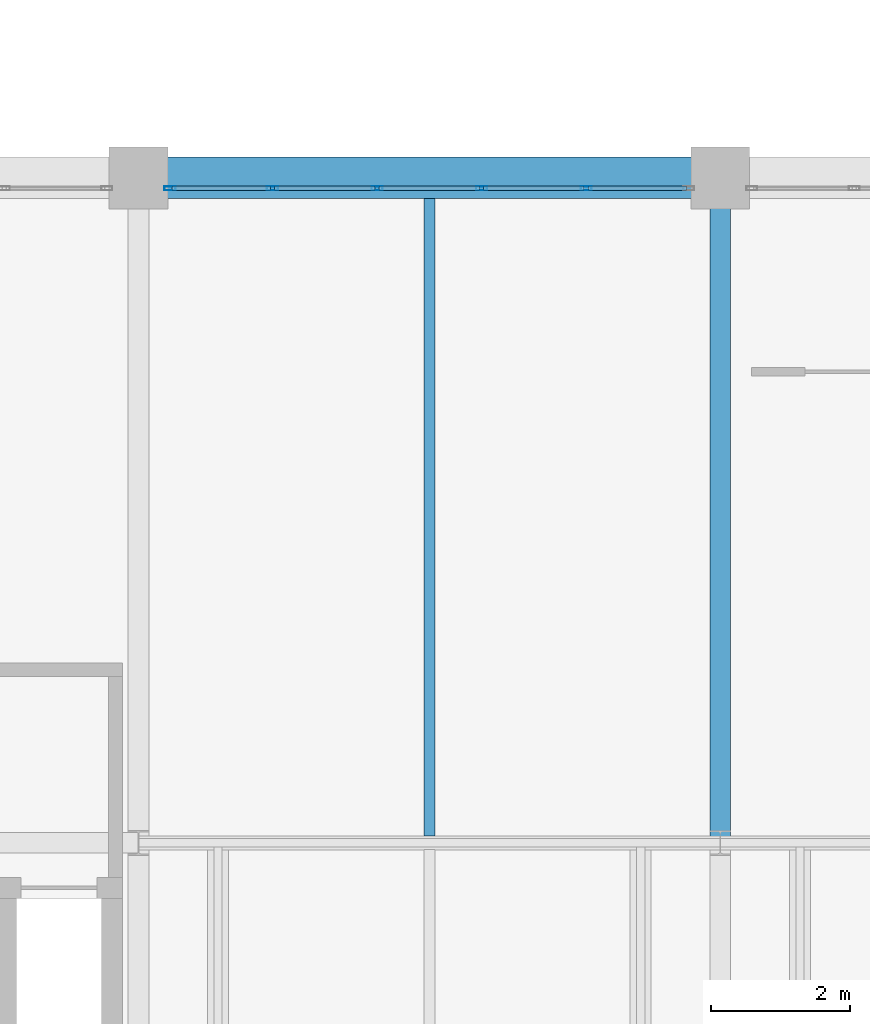
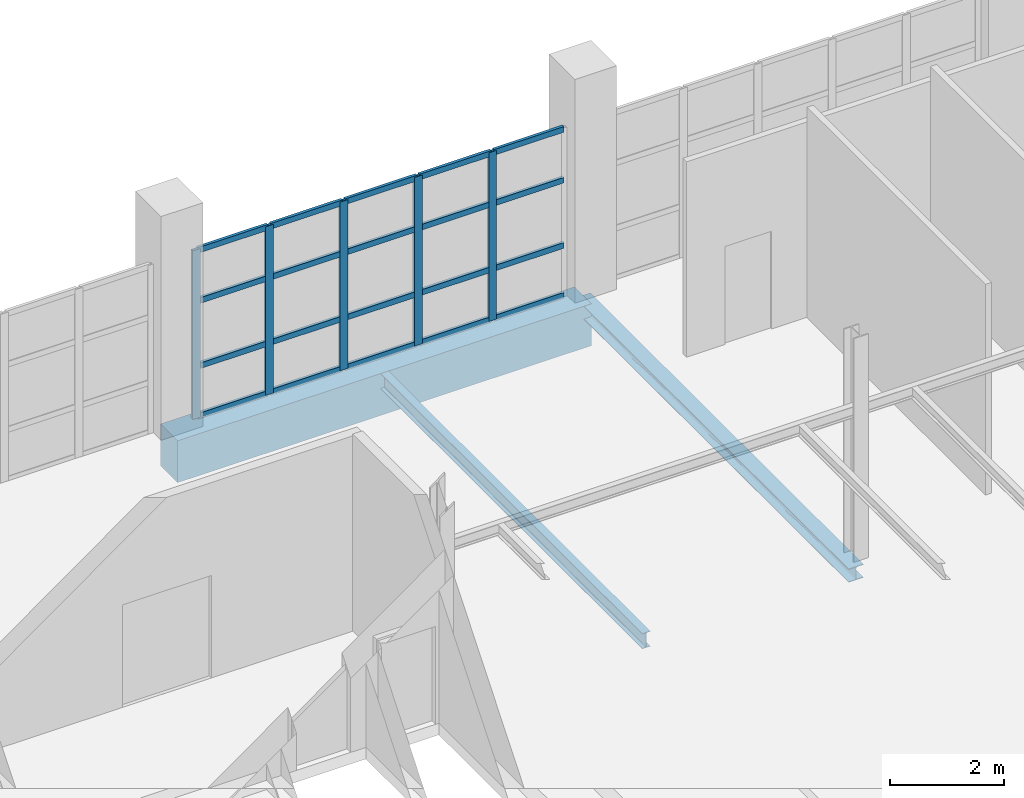
# One storey, part 6 of 29: 25 members, 3 beams, 1 element without a shape of its own.
"""IFC4 building model written with IfcOpenShell, lengths in metres."""

import ifcopenshell
import ifcopenshell.guid

model = None  # the IFC model being written
_history = None  # IfcOwnerHistory: only IFC2X3 demands one
_inside = {}  # id of a spatial element -> (the spatial element, [elements in it])
_under = {}  # id of a project, library or spatial element -> (it, [spatial elements below it])
_declared = {}  # id of a project -> (the project, [libraries it declares])
_typed = {}  # id of a type object -> (the type object, [elements of that type])
_made_of = {}  # id of a material, layer set ... -> (it, [elements and type objects made of it])


def new_model(schema):
    """Start an empty IFC model of exactly this schema.

    Asked for "IFC4X3", IfcOpenShell would pick the latest addendum, in which some entities
    have other attributes; the version numbers below select the first issue.
    IFC2X3 requires an IfcOwnerHistory on every rooted entity: one is made here for all.
    """
    global model, _history
    if schema == "IFC4X3":
        model = ifcopenshell.file(schema_version=(4, 3, 0, 0))
    else:
        model = ifcopenshell.file(schema=schema)
    _inside.clear()
    _under.clear()
    _declared.clear()
    _typed.clear()
    _made_of.clear()
    _history = None
    if model.schema == "IFC2X3":
        org = make("IfcOrganization", Name="unknown")
        user = make(
            "IfcPersonAndOrganization",
            ThePerson=make("IfcPerson", FamilyName="unknown"),
            TheOrganization=org,
        )
        app = make(
            "IfcApplication",
            ApplicationDeveloper=org,
            Version="unknown",
            ApplicationFullName="unknown",
            ApplicationIdentifier="unknown",
        )
        _history = make(
            "IfcOwnerHistory",
            OwningUser=user,
            OwningApplication=app,
            ChangeAction="ADDED",
            CreationDate=0,
        )
    return model


def make(cls, **values):
    """One entity of the class cls with the attributes given. An attribute that is None is left unset."""
    return model.create_entity(
        cls, **{name: value for name, value in values.items() if value is not None}
    )


def rooted(cls, **values):
    """An entity with a GlobalId (a new one), such as an element, a storey or a relation."""
    return make(cls, GlobalId=ifcopenshell.guid.new(), OwnerHistory=_history, **values)


def si_unit(unit_type, name, prefix=None):
    """IfcSIUnit, for example si_unit("LENGTHUNIT", "METRE", prefix="MILLI")."""
    return make("IfcSIUnit", UnitType=unit_type, Prefix=prefix, Name=name)


def assignment(units):
    """IfcUnitAssignment: the units of a project."""
    return None if units is None else make("IfcUnitAssignment", Units=units)


def point(xyz):
    """IfcCartesianPoint."""
    return None if xyz is None else make("IfcCartesianPoint", Coordinates=xyz)


def direction(xyz):
    """IfcDirection."""
    return None if xyz is None else make("IfcDirection", DirectionRatios=xyz)


def frame(location, z_axis=None, x_axis=None):
    """IfcAxis2Placement3D, a coordinate frame: its origin and axes. An axis left out is left unset."""
    return make(
        "IfcAxis2Placement3D",
        Location=point(location),
        Axis=direction(z_axis),
        RefDirection=direction(x_axis),
    )


def frame_2d(location, x_axis=None):
    """IfcAxis2Placement2D, a coordinate frame in the plane: its origin and x axis."""
    return make(
        "IfcAxis2Placement2D", Location=point(location), RefDirection=direction(x_axis)
    )


def origin():
    """The frame at (0, 0, 0) with its axes left unset."""
    return frame((0.0, 0.0, 0.0))


def origin_2d():
    """The frame at (0, 0) in the plane with its x axis left unset."""
    return frame_2d((0.0, 0.0))


def place(relative_to, where):
    """IfcLocalPlacement: puts the frame where relative to a parent placement (None: the world)."""
    return make(
        "IfcLocalPlacement", PlacementRelTo=relative_to, RelativePlacement=where
    )


def context(
    kind, dimensions, precision=None, world=None, true_north=None, identifier=None
):
    """IfcGeometricRepresentationContext, for example the 3D "Model" context."""
    return make(
        "IfcGeometricRepresentationContext",
        ContextIdentifier=identifier,
        ContextType=kind,
        CoordinateSpaceDimension=dimensions,
        Precision=precision,
        WorldCoordinateSystem=world,
        TrueNorth=true_north,
    )


def subcontext(parent, identifier, kind, view, scale=None):
    """IfcGeometricRepresentationSubContext, for example "Body" below "Model"."""
    return make(
        "IfcGeometricRepresentationSubContext",
        ContextIdentifier=identifier,
        ContextType=kind,
        ParentContext=parent,
        TargetScale=scale,
        TargetView=view,
    )


def project(units=None, contexts=None):
    """IfcProject with its units and contexts."""
    return rooted(
        "IfcProject",
        Name="project",
        RepresentationContexts=contexts,
        UnitsInContext=assignment(units),
    )


def spatial(cls, under=None, at=None, **own):
    """A site, building, storey or space (cls), placed at a placement, below another one or the project."""
    s = rooted(cls, ObjectPlacement=at, **own)
    if under is not None:
        _under.setdefault(under.id(), (under, []))[1].append(s)
    return s


def profile(cls, at=None, kind="AREA", **sizes):
    """A parametric profile (cls). Its sizes go by their IFC names, for example OverallWidth=200.0."""
    return make(cls, ProfileType=kind, Position=at, **sizes)


def rectangle(**sizes):
    """IfcRectangleProfileDef."""
    return profile("IfcRectangleProfileDef", **sizes)


def hollow_rectangle(**sizes):
    """IfcRectangleHollowProfileDef."""
    return profile("IfcRectangleHollowProfileDef", **sizes)


def i_section(**sizes):
    """IfcIShapeProfileDef."""
    return profile("IfcIShapeProfileDef", **sizes)


def extrude(swept, where, along, depth):
    """IfcExtrudedAreaSolid: the profile swept, set in the frame where, extruded along a direction by depth."""
    return make(
        "IfcExtrudedAreaSolid",
        SweptArea=swept,
        Position=where,
        ExtrudedDirection=direction(along),
        Depth=depth,
    )


def shape(context_of_items, identifier, shape_type, items):
    """IfcShapeRepresentation: the items that make up one representation, for example the "Body"."""
    return make(
        "IfcShapeRepresentation",
        ContextOfItems=context_of_items,
        RepresentationIdentifier=identifier,
        RepresentationType=shape_type,
        Items=items,
    )


def material(Name=None, Category=None):
    """IfcMaterial."""
    return make("IfcMaterial", Name=Name, Category=Category)


def material_profile(
    of_material, cross_section, Name=None, Category=None, Priority=None
):
    """IfcMaterialProfile: a cross section and its material."""
    return make(
        "IfcMaterialProfile",
        Name=Name,
        Material=of_material,
        Profile=cross_section,
        Priority=Priority,
        Category=Category,
    )


def profile_set(profiles, Name=None, composite=None):
    """IfcMaterialProfileSet."""
    return make(
        "IfcMaterialProfileSet",
        Name=Name,
        MaterialProfiles=profiles,
        CompositeProfile=composite,
    )


def made_of(thing, what):
    """Note that an element or type object is made of a material, layer set ...; save() writes the relation."""
    if what is not None:
        _made_of.setdefault(what.id(), (what, []))[1].append(thing)
    return thing


def type_object(cls, material=None, **own):
    """A type object (cls), such as IfcWallType, which elements share."""
    return made_of(rooted(cls, **own), material)


def element(
    cls,
    number,
    at=None,
    inside=None,
    cuts=None,
    type_object=None,
    material=None,
    context=None,
    identifier="Body",
    shape_type=None,
    held_by="IfcProductDefinitionShape",
    body=None,
    shapes=None,
    **own,
):
    """One element of the class cls, such as IfcWall. Its Tag is "e" and its number.

    at: its placement. inside: the storey or other place that contains it. cuts: it is an
    opening in that element (IfcRelVoidsElement). A single representation is given by context,
    identifier, shape_type and body (its items); several are given by shapes. held_by: the class
    of the entity that holds the representations. save() writes the other relations.
    """
    e = rooted(cls, Tag="e%d" % number, ObjectPlacement=at, **own)
    if body is not None:
        shapes = [shape(context, identifier, shape_type, body)]
    if shapes is not None:
        e.Representation = make(held_by, Representations=shapes)
    if inside is not None:
        _inside.setdefault(inside.id(), (inside, []))[1].append(e)
    if cuts is not None:
        rooted(
            "IfcRelVoidsElement", RelatingBuildingElement=cuts, RelatedOpeningElement=e
        )
    if type_object is not None:
        _typed.setdefault(type_object.id(), (type_object, []))[1].append(e)
    return made_of(e, material)


def aggregate(whole, parts):
    """IfcRelAggregates: a whole, such as a stair, and the parts it consists of."""
    return rooted("IfcRelAggregates", RelatingObject=whole, RelatedObjects=parts)


def save(model, path):
    """Write the relations noted so far, then the file.

    IfcRelAggregates (storeys below a building ...), IfcRelContainedInSpatialStructure (elements
    in a storey), IfcRelDefinesByType, IfcRelAssociatesMaterial and IfcRelDeclares: one each for
    every whole, place, type object, material and project.
    """
    for whole, parts in _under.values():
        aggregate(whole, parts)
    for where, things in _inside.values():
        rooted(
            "IfcRelContainedInSpatialStructure",
            RelatedElements=things,
            RelatingStructure=where,
        )
    for kind, things in _typed.values():
        rooted("IfcRelDefinesByType", RelatedObjects=things, RelatingType=kind)
    for what, things in _made_of.values():
        rooted("IfcRelAssociatesMaterial", RelatedObjects=things, RelatingMaterial=what)
    for by, libraries in _declared.values():
        rooted("IfcRelDeclares", RelatingContext=by, RelatedDefinitions=libraries)
    model.write(path)


model = new_model("IFC4")

# Units and contexts
model_context = context("Model", 3, precision=1e-05, world=origin(), true_north=direction((0.0, 1.0)))
body_context = subcontext(model_context, "Body", "Model", "MODEL_VIEW")
ifc_project = project(units=[si_unit("LENGTHUNIT", "METRE"), si_unit("AREAUNIT", "SQUARE_METRE"), si_unit("VOLUMEUNIT", "CUBIC_METRE"), si_unit("PLANEANGLEUNIT", "RADIAN"), si_unit("MASSUNIT", "GRAM", prefix="KILO")], contexts=[model_context])

# Site, building, storey
site_placement = place(None, origin())
site = spatial("IfcSite", under=ifc_project, at=site_placement, CompositionType="ELEMENT")
building_placement = place(site_placement, origin())
building = spatial("IfcBuilding", under=site, at=building_placement, Name="Veltarok Museum of Natural Sciences", CompositionType="ELEMENT")
storey_placement = place(building_placement, frame((0.0, 0.0, 26.39990234375)))
storey = spatial("IfcBuildingStorey", under=building, at=storey_placement, Name="L05", CompositionType="ELEMENT", Elevation=26.39990234375)

# Curtain wall, members
ifc_material_1 = material(Name="Low-iron triple insulated glass", Category="glass")
curtain_wall_type = type_object("IfcCurtainWallType", Name="Curtain Wall System CW-V1N-L05-755x362 (V1 North Overlook L05 755x362cm)", PredefinedType="NOTDEFINED", material=ifc_material_1)
curtain_wall_placement = place(storey_placement, origin())
curtain_wall = element("IfcCurtainWall", 1, at=curtain_wall_placement, inside=storey, type_object=curtain_wall_type, Name="Curtain Wall CW-V1N-L05-755x362 CW-0012", PredefinedType="NOTDEFINED")
ifc_material_2 = material(Name="Thermally broken anodised aluminium", Category="aluminium")
ifc_material_profile_1 = material_profile(ifc_material_2, hollow_rectangle(XDim=0.06005859375, YDim=0.1201171875, WallThickness=0.0048828125, at=origin_2d()), Name="CW TRANSOM 60x120x5")
ifc_profile_set_1 = profile_set([ifc_material_profile_1], Name="Thermally broken anodised aluminium")
member_type_1 = type_object("IfcMemberType", Name="Curtain Wall Horizontal Transom 60x120x5", PredefinedType="USERDEFINED", material=ifc_profile_set_1)
member_1_placement = place(storey_placement, frame((47.9150390625, 19.050048828125, 0.030029296875), z_axis=(-1.0, 0.0, 0.0), x_axis=(0.0, -1.0, 0.0)))
member_1 = element("IfcMember", 2, at=member_1_placement, type_object=member_type_1, Name="CW-V1N-L05-755x362 transom 1.1", ObjectType="TRANSOM", PredefinedType="USERDEFINED", context=body_context, shape_type="SweptSolid", body=[
    extrude(hollow_rectangle(XDim=0.06005859375, YDim=0.1201171875, WallThickness=0.0048828125, at=origin_2d()), origin(), (0.0, 0.0, 1.0), 1.419921875),
])
member_2_placement = place(storey_placement, frame((47.9150390625, 19.050048828125, 1.10009765625), z_axis=(-1.0, 0.0, 0.0), x_axis=(0.0, -1.0, 0.0)))
member_2 = element("IfcMember", 3, at=member_2_placement, type_object=member_type_1, Name="CW-V1N-L05-755x362 transom 1.2", ObjectType="TRANSOM", PredefinedType="USERDEFINED", context=body_context, shape_type="SweptSolid", body=[
    extrude(hollow_rectangle(XDim=0.06005859375, YDim=0.1201171875, WallThickness=0.0048828125, at=origin_2d()), origin(), (0.0, 0.0, 1.0), 1.419921875),
])
member_3_placement = place(storey_placement, frame((47.9150390625, 19.050048828125, 2.5), z_axis=(-1.0, 0.0, 0.0), x_axis=(0.0, -1.0, 0.0)))
member_3 = element("IfcMember", 4, at=member_3_placement, type_object=member_type_1, Name="CW-V1N-L05-755x362 transom 1.3", ObjectType="TRANSOM", PredefinedType="USERDEFINED", context=body_context, shape_type="SweptSolid", body=[
    extrude(hollow_rectangle(XDim=0.06005859375, YDim=0.1201171875, WallThickness=0.0048828125, at=origin_2d()), origin(), (0.0, 0.0, 1.0), 1.419921875),
])
member_4_placement = place(storey_placement, frame((47.9150390625, 19.050048828125, 3.590087890625), z_axis=(-1.0, 0.0, 0.0), x_axis=(0.0, -1.0, 0.0)))
member_4 = element("IfcMember", 5, at=member_4_placement, type_object=member_type_1, Name="CW-V1N-L05-755x362 transom 1.4", ObjectType="TRANSOM", PredefinedType="USERDEFINED", context=body_context, shape_type="SweptSolid", body=[
    extrude(hollow_rectangle(XDim=0.06005859375, YDim=0.1201171875, WallThickness=0.0048828125, at=origin_2d()), origin(), (0.0, 0.0, 1.0), 1.419921875),
])
member_5_placement = place(storey_placement, frame((46.43505859375, 19.050048828125, 0.030029296875), z_axis=(-1.0, 0.0, 0.0), x_axis=(0.0, -1.0, 0.0)))
member_5 = element("IfcMember", 6, at=member_5_placement, type_object=member_type_1, Name="CW-V1N-L05-755x362 transom 2.1", ObjectType="TRANSOM", PredefinedType="USERDEFINED", context=body_context, shape_type="SweptSolid", body=[
    extrude(hollow_rectangle(XDim=0.06005859375, YDim=0.1201171875, WallThickness=0.0048828125, at=origin_2d()), origin(), (0.0, 0.0, 1.0), 1.449951171875),
])
member_6_placement = place(storey_placement, frame((46.43505859375, 19.050048828125, 1.10009765625), z_axis=(-1.0, 0.0, 0.0), x_axis=(0.0, -1.0, 0.0)))
member_6 = element("IfcMember", 7, at=member_6_placement, type_object=member_type_1, Name="CW-V1N-L05-755x362 transom 2.2", ObjectType="TRANSOM", PredefinedType="USERDEFINED", context=body_context, shape_type="SweptSolid", body=[
    extrude(hollow_rectangle(XDim=0.06005859375, YDim=0.1201171875, WallThickness=0.0048828125, at=origin_2d()), origin(), (0.0, 0.0, 1.0), 1.449951171875),
])
member_7_placement = place(storey_placement, frame((46.43505859375, 19.050048828125, 2.5), z_axis=(-1.0, 0.0, 0.0), x_axis=(0.0, -1.0, 0.0)))
member_7 = element("IfcMember", 8, at=member_7_placement, type_object=member_type_1, Name="CW-V1N-L05-755x362 transom 2.3", ObjectType="TRANSOM", PredefinedType="USERDEFINED", context=body_context, shape_type="SweptSolid", body=[
    extrude(hollow_rectangle(XDim=0.06005859375, YDim=0.1201171875, WallThickness=0.0048828125, at=origin_2d()), origin(), (0.0, 0.0, 1.0), 1.449951171875),
])
member_8_placement = place(storey_placement, frame((46.43505859375, 19.050048828125, 3.590087890625), z_axis=(-1.0, 0.0, 0.0), x_axis=(0.0, -1.0, 0.0)))
member_8 = element("IfcMember", 9, at=member_8_placement, type_object=member_type_1, Name="CW-V1N-L05-755x362 transom 2.4", ObjectType="TRANSOM", PredefinedType="USERDEFINED", context=body_context, shape_type="SweptSolid", body=[
    extrude(hollow_rectangle(XDim=0.06005859375, YDim=0.1201171875, WallThickness=0.0048828125, at=origin_2d()), origin(), (0.0, 0.0, 1.0), 1.449951171875),
])
member_9_placement = place(storey_placement, frame((44.925048828125, 19.050048828125, 0.030029296875), z_axis=(-1.0, 0.0, 0.0), x_axis=(0.0, -1.0, 0.0)))
member_9 = element("IfcMember", 10, at=member_9_placement, type_object=member_type_1, Name="CW-V1N-L05-755x362 transom 3.1", ObjectType="TRANSOM", PredefinedType="USERDEFINED", context=body_context, shape_type="SweptSolid", body=[
    extrude(hollow_rectangle(XDim=0.06005859375, YDim=0.1201171875, WallThickness=0.0048828125, at=origin_2d()), origin(), (0.0, 0.0, 1.0), 1.449951171875),
])
member_10_placement = place(storey_placement, frame((44.925048828125, 19.050048828125, 1.10009765625), z_axis=(-1.0, 0.0, 0.0), x_axis=(0.0, -1.0, 0.0)))
member_10 = element("IfcMember", 11, at=member_10_placement, type_object=member_type_1, Name="CW-V1N-L05-755x362 transom 3.2", ObjectType="TRANSOM", PredefinedType="USERDEFINED", context=body_context, shape_type="SweptSolid", body=[
    extrude(hollow_rectangle(XDim=0.06005859375, YDim=0.1201171875, WallThickness=0.0048828125, at=origin_2d()), origin(), (0.0, 0.0, 1.0), 1.449951171875),
])
member_11_placement = place(storey_placement, frame((44.925048828125, 19.050048828125, 2.5), z_axis=(-1.0, 0.0, 0.0), x_axis=(0.0, -1.0, 0.0)))
member_11 = element("IfcMember", 12, at=member_11_placement, type_object=member_type_1, Name="CW-V1N-L05-755x362 transom 3.3", ObjectType="TRANSOM", PredefinedType="USERDEFINED", context=body_context, shape_type="SweptSolid", body=[
    extrude(hollow_rectangle(XDim=0.06005859375, YDim=0.1201171875, WallThickness=0.0048828125, at=origin_2d()), origin(), (0.0, 0.0, 1.0), 1.449951171875),
])
member_12_placement = place(storey_placement, frame((44.925048828125, 19.050048828125, 3.590087890625), z_axis=(-1.0, 0.0, 0.0), x_axis=(0.0, -1.0, 0.0)))
member_12 = element("IfcMember", 13, at=member_12_placement, type_object=member_type_1, Name="CW-V1N-L05-755x362 transom 3.4", ObjectType="TRANSOM", PredefinedType="USERDEFINED", context=body_context, shape_type="SweptSolid", body=[
    extrude(hollow_rectangle(XDim=0.06005859375, YDim=0.1201171875, WallThickness=0.0048828125, at=origin_2d()), origin(), (0.0, 0.0, 1.0), 1.449951171875),
])
member_13_placement = place(storey_placement, frame((43.4150390625, 19.050048828125, 0.030029296875), z_axis=(-1.0, 0.0, 0.0), x_axis=(0.0, -1.0, 0.0)))
member_13 = element("IfcMember", 14, at=member_13_placement, type_object=member_type_1, Name="CW-V1N-L05-755x362 transom 4.1", ObjectType="TRANSOM", PredefinedType="USERDEFINED", context=body_context, shape_type="SweptSolid", body=[
    extrude(hollow_rectangle(XDim=0.06005859375, YDim=0.1201171875, WallThickness=0.0048828125, at=origin_2d()), origin(), (0.0, 0.0, 1.0), 1.449951171875),
])
member_14_placement = place(storey_placement, frame((43.4150390625, 19.050048828125, 1.10009765625), z_axis=(-1.0, 0.0, 0.0), x_axis=(0.0, -1.0, 0.0)))
member_14 = element("IfcMember", 15, at=member_14_placement, type_object=member_type_1, Name="CW-V1N-L05-755x362 transom 4.2", ObjectType="TRANSOM", PredefinedType="USERDEFINED", context=body_context, shape_type="SweptSolid", body=[
    extrude(hollow_rectangle(XDim=0.06005859375, YDim=0.1201171875, WallThickness=0.0048828125, at=origin_2d()), origin(), (0.0, 0.0, 1.0), 1.449951171875),
])
member_15_placement = place(storey_placement, frame((43.4150390625, 19.050048828125, 2.5), z_axis=(-1.0, 0.0, 0.0), x_axis=(0.0, -1.0, 0.0)))
member_15 = element("IfcMember", 16, at=member_15_placement, type_object=member_type_1, Name="CW-V1N-L05-755x362 transom 4.3", ObjectType="TRANSOM", PredefinedType="USERDEFINED", context=body_context, shape_type="SweptSolid", body=[
    extrude(hollow_rectangle(XDim=0.06005859375, YDim=0.1201171875, WallThickness=0.0048828125, at=origin_2d()), origin(), (0.0, 0.0, 1.0), 1.449951171875),
])
member_16_placement = place(storey_placement, frame((43.4150390625, 19.050048828125, 3.590087890625), z_axis=(-1.0, 0.0, 0.0), x_axis=(0.0, -1.0, 0.0)))
member_16 = element("IfcMember", 17, at=member_16_placement, type_object=member_type_1, Name="CW-V1N-L05-755x362 transom 4.4", ObjectType="TRANSOM", PredefinedType="USERDEFINED", context=body_context, shape_type="SweptSolid", body=[
    extrude(hollow_rectangle(XDim=0.06005859375, YDim=0.1201171875, WallThickness=0.0048828125, at=origin_2d()), origin(), (0.0, 0.0, 1.0), 1.449951171875),
])
member_17_placement = place(storey_placement, frame((41.905029296875, 19.050048828125, 0.030029296875), z_axis=(-1.0, 0.0, 0.0), x_axis=(0.0, -1.0, 0.0)))
member_17 = element("IfcMember", 18, at=member_17_placement, type_object=member_type_1, Name="CW-V1N-L05-755x362 transom 5.1", ObjectType="TRANSOM", PredefinedType="USERDEFINED", context=body_context, shape_type="SweptSolid", body=[
    extrude(hollow_rectangle(XDim=0.06005859375, YDim=0.1201171875, WallThickness=0.0048828125, at=origin_2d()), origin(), (0.0, 0.0, 1.0), 1.419921875),
])
member_18_placement = place(storey_placement, frame((41.905029296875, 19.050048828125, 1.10009765625), z_axis=(-1.0, 0.0, 0.0), x_axis=(0.0, -1.0, 0.0)))
member_18 = element("IfcMember", 19, at=member_18_placement, type_object=member_type_1, Name="CW-V1N-L05-755x362 transom 5.2", ObjectType="TRANSOM", PredefinedType="USERDEFINED", context=body_context, shape_type="SweptSolid", body=[
    extrude(hollow_rectangle(XDim=0.06005859375, YDim=0.1201171875, WallThickness=0.0048828125, at=origin_2d()), origin(), (0.0, 0.0, 1.0), 1.419921875),
])
member_19_placement = place(storey_placement, frame((41.905029296875, 19.050048828125, 2.5), z_axis=(-1.0, 0.0, 0.0), x_axis=(0.0, -1.0, 0.0)))
member_19 = element("IfcMember", 20, at=member_19_placement, type_object=member_type_1, Name="CW-V1N-L05-755x362 transom 5.3", ObjectType="TRANSOM", PredefinedType="USERDEFINED", context=body_context, shape_type="SweptSolid", body=[
    extrude(hollow_rectangle(XDim=0.06005859375, YDim=0.1201171875, WallThickness=0.0048828125, at=origin_2d()), origin(), (0.0, 0.0, 1.0), 1.419921875),
])
member_20_placement = place(storey_placement, frame((41.905029296875, 19.050048828125, 3.590087890625), z_axis=(-1.0, 0.0, 0.0), x_axis=(0.0, -1.0, 0.0)))
member_20 = element("IfcMember", 21, at=member_20_placement, type_object=member_type_1, Name="CW-V1N-L05-755x362 transom 5.4", ObjectType="TRANSOM", PredefinedType="USERDEFINED", context=body_context, shape_type="SweptSolid", body=[
    extrude(hollow_rectangle(XDim=0.06005859375, YDim=0.1201171875, WallThickness=0.0048828125, at=origin_2d()), origin(), (0.0, 0.0, 1.0), 1.419921875),
])
ifc_material_profile_2 = material_profile(ifc_material_2, hollow_rectangle(XDim=0.06005859375, YDim=0.159912109375, WallThickness=0.0048828125, at=origin_2d()), Name="CW MULLION 60x160x5")
ifc_profile_set_2 = profile_set([ifc_material_profile_2], Name="Thermally broken anodised aluminium")
member_type_2 = type_object("IfcMemberType", Name="Curtain Wall Vertical Mullion 60x160x5", PredefinedType="MULLION", material=ifc_profile_set_2)
member_21_placement = place(storey_placement, frame((46.465087890625, 19.050048828125, 0.0), z_axis=(0.0, 0.0, 1.0), x_axis=(0.0, -1.0, 0.0)))
member_21 = element("IfcMember", 22, at=member_21_placement, type_object=member_type_2, Name="CW-V1N-L05-755x362 mullion 2", PredefinedType="MULLION", context=body_context, shape_type="SweptSolid", body=[
    extrude(hollow_rectangle(XDim=0.06005859375, YDim=0.159912109375, WallThickness=0.0048828125, at=origin_2d()), origin(), (0.0, 0.0, 1.0), 3.6201171875),
])
member_22_placement = place(storey_placement, frame((44.955078125, 19.050048828125, 0.0), z_axis=(0.0, 0.0, 1.0), x_axis=(0.0, -1.0, 0.0)))
member_22 = element("IfcMember", 23, at=member_22_placement, type_object=member_type_2, Name="CW-V1N-L05-755x362 mullion 3", PredefinedType="MULLION", context=body_context, shape_type="SweptSolid", body=[
    extrude(hollow_rectangle(XDim=0.06005859375, YDim=0.159912109375, WallThickness=0.0048828125, at=origin_2d()), origin(), (0.0, 0.0, 1.0), 3.6201171875),
])
member_23_placement = place(storey_placement, frame((43.445068359375, 19.050048828125, 0.0), z_axis=(0.0, 0.0, 1.0), x_axis=(0.0, -1.0, 0.0)))
member_23 = element("IfcMember", 24, at=member_23_placement, type_object=member_type_2, Name="CW-V1N-L05-755x362 mullion 4", PredefinedType="MULLION", context=body_context, shape_type="SweptSolid", body=[
    extrude(hollow_rectangle(XDim=0.06005859375, YDim=0.159912109375, WallThickness=0.0048828125, at=origin_2d()), origin(), (0.0, 0.0, 1.0), 3.6201171875),
])
member_24_placement = place(storey_placement, frame((41.93505859375, 19.050048828125, 0.0), z_axis=(0.0, 0.0, 1.0), x_axis=(0.0, -1.0, 0.0)))
member_24 = element("IfcMember", 25, at=member_24_placement, type_object=member_type_2, Name="CW-V1N-L05-755x362 mullion 5", PredefinedType="MULLION", context=body_context, shape_type="SweptSolid", body=[
    extrude(hollow_rectangle(XDim=0.06005859375, YDim=0.159912109375, WallThickness=0.0048828125, at=origin_2d()), origin(), (0.0, 0.0, 1.0), 3.6201171875),
])
member_25_placement = place(storey_placement, frame((40.455078125, 19.050048828125, 0.0), z_axis=(0.0, 0.0, 1.0), x_axis=(0.0, -1.0, 0.0)))
member_25 = element("IfcMember", 26, at=member_25_placement, type_object=member_type_2, Name="CW-V1N-L05-755x362 mullion 6", PredefinedType="MULLION", context=body_context, shape_type="SweptSolid", body=[
    extrude(hollow_rectangle(XDim=0.06005859375, YDim=0.159912109375, WallThickness=0.0048828125, at=origin_2d()), origin(), (0.0, 0.0, 1.0), 3.6201171875),
])
aggregate(curtain_wall, [member_21, member_22, member_23, member_24, member_25, member_1, member_2, member_3, member_4, member_5, member_6, member_7, member_8, member_9, member_10, member_11, member_12, member_13, member_14, member_15, member_16, member_17, member_18, member_19, member_20])

# Beams
ifc_material_3 = material(Name="Concrete C40/50", Category="concrete")
ifc_material_profile_3 = material_profile(ifc_material_3, rectangle(XDim=0.60009765625, YDim=0.89990234375, at=origin_2d()), Name="RC 600x900")
ifc_profile_set_3 = profile_set([ifc_material_profile_3], Name="Concrete C40/50")
beam_type_1 = type_object("IfcBeamType", Name="Exposed Cabinet Perimeter Spandrel RC 600x900", PredefinedType="SPANDREL", material=ifc_profile_set_3)
beam_1_placement = place(storey_placement, frame((40.0, 19.199951171875, -0.699951171875), z_axis=(1.0, 0.0, 0.0), x_axis=(0.0, 1.0, 0.0)))
element("IfcBeam", 27, at=beam_1_placement, inside=storey, type_object=beam_type_1, Name="Beam BM-SP01 L05 5-6/C", PredefinedType="SPANDREL", context=body_context, shape_type="SweptSolid", body=[
    extrude(rectangle(XDim=0.60009765625, YDim=0.89990234375, at=origin_2d()), origin(), (0.0, 0.0, 1.0), 8.39990234375),
])
ifc_material_4 = material(Name="Steel S355J2", Category="steel")
ifc_material_profile_4 = material_profile(ifc_material_4, i_section(OverallWidth=0.300048828125, OverallDepth=0.2900390625, WebThickness=0.008544921875, FlangeThickness=0.013916015625, FilletRadius=0.027099609375, at=origin_2d()), Name="HEA 300")
ifc_profile_set_4 = profile_set([ifc_material_profile_4], Name="Steel S355J2")
beam_type_2 = type_object("IfcBeamType", Name="Glazed Hall Edge Spandrel HEA 300", PredefinedType="SPANDREL", material=ifc_profile_set_4)
beam_2_placement = place(storey_placement, frame((48.39990234375, 9.60009765625, -0.39501953125), z_axis=(0.0, 1.0, 0.0), x_axis=(-1.0, 0.0, 0.0)))
element("IfcBeam", 28, at=beam_2_placement, inside=storey, type_object=beam_type_2, Name="Beam BM-SP03 L05 6/B-C", PredefinedType="SPANDREL", context=body_context, shape_type="SweptSolid", body=[
    extrude(i_section(OverallWidth=0.300048828125, OverallDepth=0.2900390625, WebThickness=0.008544921875, FlangeThickness=0.013916015625, FilletRadius=0.027099609375, at=origin_2d()), origin(), (0.0, 0.0, 1.0), 9.599853515625),
])
ifc_material_profile_5 = material_profile(ifc_material_4, i_section(OverallWidth=0.159912109375, OverallDepth=0.330078125, WebThickness=0.007568359375, FlangeThickness=0.011474609375, FilletRadius=0.01806640625, at=origin_2d()), Name="IPE 330")
ifc_profile_set_5 = profile_set([ifc_material_profile_5], Name="Steel S355J2")
beam_type_3 = type_object("IfcBeamType", Name="Medium-Bay Composite Joist IPE 330", PredefinedType="JOIST", material=ifc_profile_set_5)
beam_3_placement = place(storey_placement, frame((44.199951171875, 9.697998046875, -0.414794921875), z_axis=(0.0, 1.0, 0.0), x_axis=(-1.0, 0.0, 0.0)))
element("IfcBeam", 29, at=beam_3_placement, inside=storey, type_object=beam_type_3, Name="Secondary Joist BM-J02 L05 5-6/B-C.1", PredefinedType="JOIST", context=body_context, shape_type="SweptSolid", body=[
    extrude(i_section(OverallWidth=0.159912109375, OverallDepth=0.330078125, WebThickness=0.007568359375, FlangeThickness=0.011474609375, FilletRadius=0.01806640625, at=origin_2d()), origin(), (0.0, 0.0, 1.0), 9.2041015625),
])

save(model, "model.ifc")
